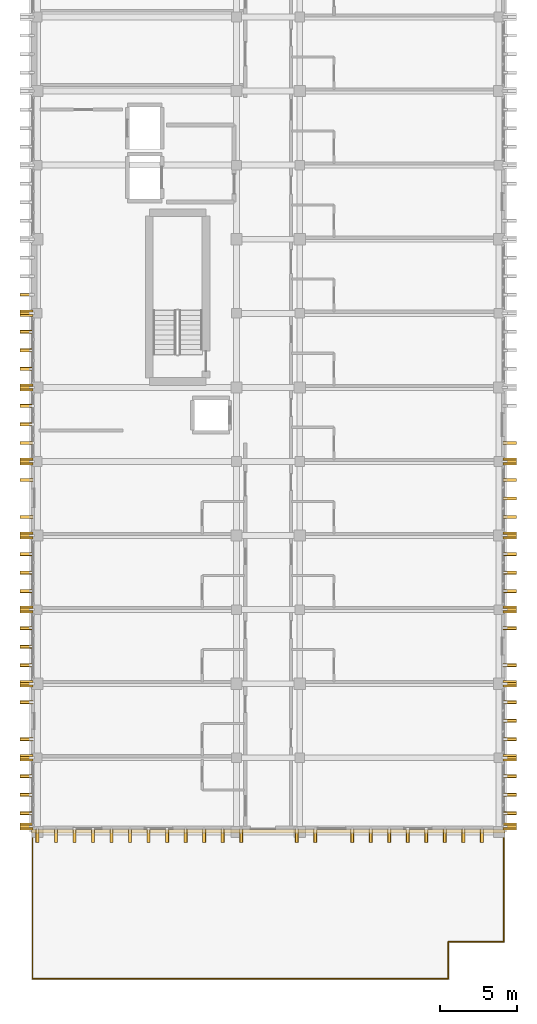
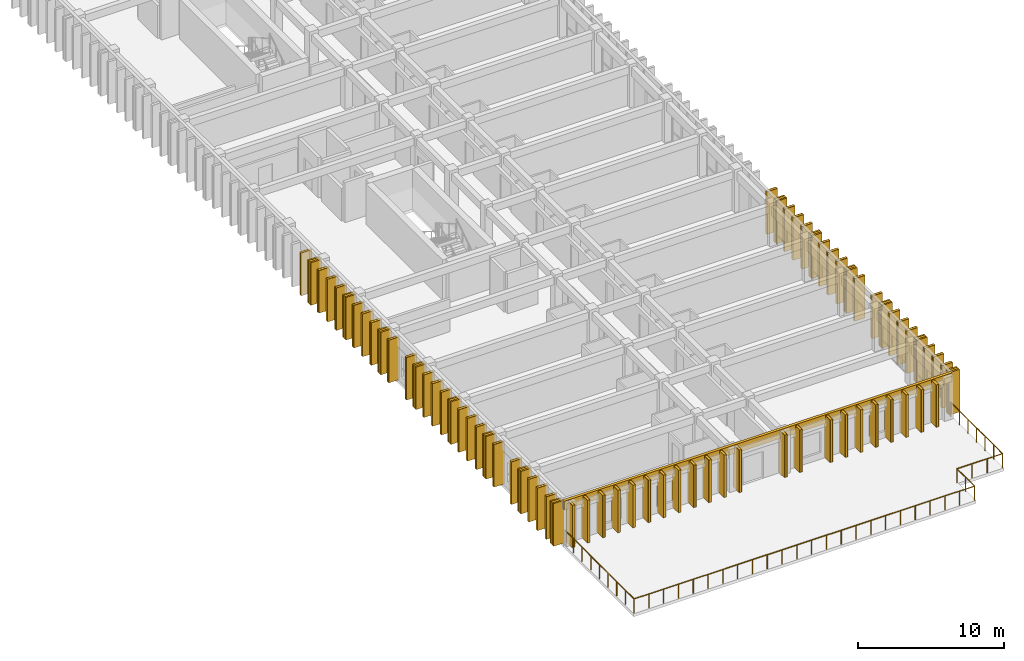
# One storey, part 54 of 59: 71 coverings, 71 shading devices, 1 railing.
"""IFC4 building model written with IfcOpenShell, lengths in metres."""

from ifc_helpers import new_model, si_unit, direction, frame, origin, origin_2d, place, context, subcontext, project, spatial, rectangle, circle, extrude, material, layer, layer_set, type_object, element, save


model = new_model("IFC4")

# Units and contexts
model_context = context("Model", 3, precision=1e-05, world=origin(), true_north=direction((0.0, 1.0)))
body_context = subcontext(model_context, "Body", "Model", "MODEL_VIEW")
ifc_project = project(units=[si_unit("LENGTHUNIT", "METRE"), si_unit("AREAUNIT", "SQUARE_METRE"), si_unit("VOLUMEUNIT", "CUBIC_METRE"), si_unit("PLANEANGLEUNIT", "RADIAN"), si_unit("MASSUNIT", "GRAM", prefix="KILO")], contexts=[model_context])

# Site, building, storey
site_placement = place(None, origin())
site = spatial("IfcSite", under=ifc_project, at=site_placement, CompositionType="ELEMENT")
building_placement = place(site_placement, origin())
building = spatial("IfcBuilding", under=site, at=building_placement, Name="Nakhvara Creek Congress Hotel", CompositionType="ELEMENT")
storey_placement = place(building_placement, frame((0.0, 0.0, 31.800048828125)))
storey = spatial("IfcBuildingStorey", under=building, at=storey_placement, Name="L07", CompositionType="ELEMENT", Elevation=31.800048828125)

# Coverings
ifc_material_1 = material(Name="Honed pale Omani limestone architectural cladding", Category="masonry")
ifc_layer_1 = layer(ifc_material_1, 0.219970703125)
ifc_layer_set_1 = layer_set([ifc_layer_1], Name="Honed pale Omani limestone architectural cladding")
covering_type_1 = type_object("IfcCoveringType", Name="COV-FIN-850", PredefinedType="CLADDING", material=ifc_layer_set_1)
for number, where, z_axis, x_axis, name in (
    (1, (180.054931640625, 48.35009765625, 0.0), (0.0, 0.0, 1.0), (0.0, 1.0, 0.0), "Pale Limestone Fin Cladding CF01-1805"),
    (2, (148.7451171875, 48.35009765625, 0.0), (0.0, 0.0, 1.0), (0.0, 1.0, 0.0), "Pale Limestone Fin Cladding CF01-1806"),
):
    element("IfcCovering", number, at=place(storey_placement, frame(where, z_axis=z_axis, x_axis=x_axis)), inside=storey, type_object=covering_type_1, Name=name, PredefinedType="CLADDING", context=body_context, shape_type="SweptSolid", body=[
        extrude(rectangle(XDim=0.43994140625, YDim=0.85009765625, at=origin_2d()), origin(), (0.0, 0.0, 1.0), 3.56005859375),
    ])
for number, where, z_axis, x_axis, name in (
    (3, (180.054931640625, 49.199951171875, 0.0), (0.0, 0.0, 1.0), (0.0, 1.0, 0.0), "Pale Limestone Fin Cladding CF01-1807"),
    (4, (148.7451171875, 49.199951171875, 0.0), (0.0, 0.0, 1.0), (0.0, 1.0, 0.0), "Pale Limestone Fin Cladding CF01-1808"),
    (5, (180.054931640625, 50.39990234375, 0.0), (0.0, 0.0, 1.0), (0.0, 1.0, 0.0), "Pale Limestone Fin Cladding CF01-1809"),
    (6, (148.7451171875, 50.39990234375, 0.0), (0.0, 0.0, 1.0), (0.0, 1.0, 0.0), "Pale Limestone Fin Cladding CF01-1810"),
    (7, (180.054931640625, 51.60009765625, 0.0), (0.0, 0.0, 1.0), (0.0, 1.0, 0.0), "Pale Limestone Fin Cladding CF01-1811"),
    (8, (148.7451171875, 51.60009765625, 0.0), (0.0, 0.0, 1.0), (0.0, 1.0, 0.0), "Pale Limestone Fin Cladding CF01-1812"),
):
    element("IfcCovering", number, at=place(storey_placement, frame(where, z_axis=z_axis, x_axis=x_axis)), inside=storey, type_object=covering_type_1, Name=name, PredefinedType="CLADDING", context=body_context, shape_type="SweptSolid", body=[
        extrude(rectangle(XDim=0.219970703125, YDim=0.85009765625, at=origin_2d()), origin(), (0.0, 0.0, 1.0), 3.56005859375),
    ])
for number, where, z_axis, x_axis, name in (
    (9, (180.054931640625, 52.800048828125, 0.0), (0.0, 0.0, 1.0), (0.0, 1.0, 0.0), "Pale Limestone Fin Cladding CF01-1813"),
    (10, (148.7451171875, 52.800048828125, 0.0), (0.0, 0.0, 1.0), (0.0, 1.0, 0.0), "Pale Limestone Fin Cladding CF01-1814"),
):
    element("IfcCovering", number, at=place(storey_placement, frame(where, z_axis=z_axis, x_axis=x_axis)), inside=storey, type_object=covering_type_1, Name=name, PredefinedType="CLADDING", context=body_context, shape_type="SweptSolid", body=[
        extrude(rectangle(XDim=0.43994140625, YDim=0.85009765625, at=origin_2d()), origin(), (0.0, 0.0, 1.0), 3.56005859375),
    ])
for number, where, z_axis, x_axis, name in (
    (11, (180.054931640625, 54.0, 0.0), (0.0, 0.0, 1.0), (0.0, 1.0, 0.0), "Pale Limestone Fin Cladding CF01-1815"),
    (12, (148.7451171875, 54.0, 0.0), (0.0, 0.0, 1.0), (0.0, 1.0, 0.0), "Pale Limestone Fin Cladding CF01-1816"),
    (13, (180.054931640625, 55.199951171875, 0.0), (0.0, 0.0, 1.0), (0.0, 1.0, 0.0), "Pale Limestone Fin Cladding CF01-1817"),
    (14, (180.054931640625, 56.39990234375, 0.0), (0.0, 0.0, 1.0), (0.0, 1.0, 0.0), "Pale Limestone Fin Cladding CF01-1818"),
    (15, (148.7451171875, 56.39990234375, 0.0), (0.0, 0.0, 1.0), (0.0, 1.0, 0.0), "Pale Limestone Fin Cladding CF01-1819"),
):
    element("IfcCovering", number, at=place(storey_placement, frame(where, z_axis=z_axis, x_axis=x_axis)), inside=storey, type_object=covering_type_1, Name=name, PredefinedType="CLADDING", context=body_context, shape_type="SweptSolid", body=[
        extrude(rectangle(XDim=0.219970703125, YDim=0.85009765625, at=origin_2d()), origin(), (0.0, 0.0, 1.0), 3.56005859375),
    ])
for number, where, z_axis, x_axis, name in (
    (16, (180.054931640625, 57.60009765625, 0.0), (0.0, 0.0, 1.0), (0.0, 1.0, 0.0), "Pale Limestone Fin Cladding CF01-1820"),
    (17, (148.7451171875, 57.60009765625, 0.0), (0.0, 0.0, 1.0), (0.0, 1.0, 0.0), "Pale Limestone Fin Cladding CF01-1821"),
):
    element("IfcCovering", number, at=place(storey_placement, frame(where, z_axis=z_axis, x_axis=x_axis)), inside=storey, type_object=covering_type_1, Name=name, PredefinedType="CLADDING", context=body_context, shape_type="SweptSolid", body=[
        extrude(rectangle(XDim=0.43994140625, YDim=0.85009765625, at=origin_2d()), origin(), (0.0, 0.0, 1.0), 3.56005859375),
    ])
for number, where, z_axis, x_axis, name in (
    (18, (180.054931640625, 58.800048828125, 0.0), (0.0, 0.0, 1.0), (0.0, 1.0, 0.0), "Pale Limestone Fin Cladding CF01-1822"),
    (19, (148.7451171875, 58.800048828125, 0.0), (0.0, 0.0, 1.0), (0.0, 1.0, 0.0), "Pale Limestone Fin Cladding CF01-1823"),
    (20, (148.7451171875, 60.0, 0.0), (0.0, 0.0, 1.0), (0.0, 1.0, 0.0), "Pale Limestone Fin Cladding CF01-1824"),
    (21, (180.054931640625, 61.199951171875, 0.0), (0.0, 0.0, 1.0), (0.0, 1.0, 0.0), "Pale Limestone Fin Cladding CF01-1825"),
    (22, (148.7451171875, 61.199951171875, 0.0), (0.0, 0.0, 1.0), (0.0, 1.0, 0.0), "Pale Limestone Fin Cladding CF01-1826"),
):
    element("IfcCovering", number, at=place(storey_placement, frame(where, z_axis=z_axis, x_axis=x_axis)), inside=storey, type_object=covering_type_1, Name=name, PredefinedType="CLADDING", context=body_context, shape_type="SweptSolid", body=[
        extrude(rectangle(XDim=0.219970703125, YDim=0.85009765625, at=origin_2d()), origin(), (0.0, 0.0, 1.0), 3.56005859375),
    ])
for number, where, z_axis, x_axis, name in (
    (23, (180.054931640625, 62.39990234375, 0.0), (0.0, 0.0, 1.0), (0.0, 1.0, 0.0), "Pale Limestone Fin Cladding CF01-1827"),
    (24, (148.7451171875, 62.39990234375, 0.0), (0.0, 0.0, 1.0), (0.0, 1.0, 0.0), "Pale Limestone Fin Cladding CF01-1828"),
):
    element("IfcCovering", number, at=place(storey_placement, frame(where, z_axis=z_axis, x_axis=x_axis)), inside=storey, type_object=covering_type_1, Name=name, PredefinedType="CLADDING", context=body_context, shape_type="SweptSolid", body=[
        extrude(rectangle(XDim=0.43994140625, YDim=0.85009765625, at=origin_2d()), origin(), (0.0, 0.0, 1.0), 3.56005859375),
    ])
for number, where, z_axis, x_axis, name in (
    (25, (180.054931640625, 63.60009765625, 0.0), (0.0, 0.0, 1.0), (0.0, 1.0, 0.0), "Pale Limestone Fin Cladding CF01-1829"),
    (26, (148.7451171875, 63.60009765625, 0.0), (0.0, 0.0, 1.0), (0.0, 1.0, 0.0), "Pale Limestone Fin Cladding CF01-1830"),
    (27, (180.054931640625, 64.800048828125, 0.0), (0.0, 0.0, 1.0), (0.0, 1.0, 0.0), "Pale Limestone Fin Cladding CF01-1831"),
    (28, (148.7451171875, 64.800048828125, 0.0), (0.0, 0.0, 1.0), (0.0, 1.0, 0.0), "Pale Limestone Fin Cladding CF01-1832"),
    (29, (180.054931640625, 66.0, 0.0), (0.0, 0.0, 1.0), (0.0, 1.0, 0.0), "Pale Limestone Fin Cladding CF01-1833"),
    (30, (148.7451171875, 66.0, 0.0), (0.0, 0.0, 1.0), (0.0, 1.0, 0.0), "Pale Limestone Fin Cladding CF01-1834"),
):
    element("IfcCovering", number, at=place(storey_placement, frame(where, z_axis=z_axis, x_axis=x_axis)), inside=storey, type_object=covering_type_1, Name=name, PredefinedType="CLADDING", context=body_context, shape_type="SweptSolid", body=[
        extrude(rectangle(XDim=0.219970703125, YDim=0.85009765625, at=origin_2d()), origin(), (0.0, 0.0, 1.0), 3.56005859375),
    ])
for number, where, z_axis, x_axis, name in (
    (31, (180.054931640625, 67.199951171875, 0.0), (0.0, 0.0, 1.0), (0.0, 1.0, 0.0), "Pale Limestone Fin Cladding CF01-1835"),
    (32, (148.7451171875, 67.199951171875, 0.0), (0.0, 0.0, 1.0), (0.0, 1.0, 0.0), "Pale Limestone Fin Cladding CF01-1836"),
):
    element("IfcCovering", number, at=place(storey_placement, frame(where, z_axis=z_axis, x_axis=x_axis)), inside=storey, type_object=covering_type_1, Name=name, PredefinedType="CLADDING", context=body_context, shape_type="SweptSolid", body=[
        extrude(rectangle(XDim=0.43994140625, YDim=0.85009765625, at=origin_2d()), origin(), (0.0, 0.0, 1.0), 3.56005859375),
    ])
for number, where, z_axis, x_axis, name in (
    (33, (180.054931640625, 68.39990234375, 0.0), (0.0, 0.0, 1.0), (0.0, 1.0, 0.0), "Pale Limestone Fin Cladding CF01-1837"),
    (34, (148.7451171875, 68.39990234375, 0.0), (0.0, 0.0, 1.0), (0.0, 1.0, 0.0), "Pale Limestone Fin Cladding CF01-1838"),
    (35, (180.054931640625, 69.60009765625, 0.0), (0.0, 0.0, 1.0), (0.0, 1.0, 0.0), "Pale Limestone Fin Cladding CF01-1839"),
    (36, (180.054931640625, 70.800048828125, 0.0), (0.0, 0.0, 1.0), (0.0, 1.0, 0.0), "Pale Limestone Fin Cladding CF01-1840"),
    (37, (148.7451171875, 70.800048828125, 0.0), (0.0, 0.0, 1.0), (0.0, 1.0, 0.0), "Pale Limestone Fin Cladding CF01-1841"),
):
    element("IfcCovering", number, at=place(storey_placement, frame(where, z_axis=z_axis, x_axis=x_axis)), inside=storey, type_object=covering_type_1, Name=name, PredefinedType="CLADDING", context=body_context, shape_type="SweptSolid", body=[
        extrude(rectangle(XDim=0.219970703125, YDim=0.85009765625, at=origin_2d()), origin(), (0.0, 0.0, 1.0), 3.56005859375),
    ])
for number, where, z_axis, x_axis, name in (
    (38, (180.054931640625, 72.0, 0.0), (0.0, 0.0, 1.0), (0.0, 1.0, 0.0), "Pale Limestone Fin Cladding CF01-1842"),
    (39, (148.7451171875, 72.0, 0.0), (0.0, 0.0, 1.0), (0.0, 1.0, 0.0), "Pale Limestone Fin Cladding CF01-1843"),
):
    element("IfcCovering", number, at=place(storey_placement, frame(where, z_axis=z_axis, x_axis=x_axis)), inside=storey, type_object=covering_type_1, Name=name, PredefinedType="CLADDING", context=body_context, shape_type="SweptSolid", body=[
        extrude(rectangle(XDim=0.43994140625, YDim=0.85009765625, at=origin_2d()), origin(), (0.0, 0.0, 1.0), 3.56005859375),
    ])
for number, where, z_axis, x_axis, name in (
    (40, (180.054931640625, 73.199951171875, 0.0), (0.0, 0.0, 1.0), (0.0, 1.0, 0.0), "Pale Limestone Fin Cladding CF01-1844"),
    (41, (148.7451171875, 73.199951171875, 0.0), (0.0, 0.0, 1.0), (0.0, 1.0, 0.0), "Pale Limestone Fin Cladding CF01-1845"),
    (42, (148.7451171875, 74.39990234375, 0.0), (0.0, 0.0, 1.0), (0.0, 1.0, 0.0), "Pale Limestone Fin Cladding CF01-1846"),
    (43, (148.7451171875, 75.60009765625, 0.0), (0.0, 0.0, 1.0), (0.0, 1.0, 0.0), "Pale Limestone Fin Cladding CF01-1848"),
):
    element("IfcCovering", number, at=place(storey_placement, frame(where, z_axis=z_axis, x_axis=x_axis)), inside=storey, type_object=covering_type_1, Name=name, PredefinedType="CLADDING", context=body_context, shape_type="SweptSolid", body=[
        extrude(rectangle(XDim=0.219970703125, YDim=0.85009765625, at=origin_2d()), origin(), (0.0, 0.0, 1.0), 3.56005859375),
    ])
covering_1_placement = place(storey_placement, frame((148.7451171875, 76.800048828125, 0.0), z_axis=(0.0, 0.0, 1.0), x_axis=(0.0, 1.0, 0.0)))
element("IfcCovering", 44, at=covering_1_placement, inside=storey, type_object=covering_type_1, Name="Pale Limestone Fin Cladding CF01-1850", PredefinedType="CLADDING", context=body_context, shape_type="SweptSolid", body=[
    extrude(rectangle(XDim=0.43994140625, YDim=0.85009765625, at=origin_2d()), origin(), (0.0, 0.0, 1.0), 3.56005859375),
])
for number, where, z_axis, x_axis, name in (
    (45, (148.7451171875, 78.0, 0.0), (0.0, 0.0, 1.0), (0.0, 1.0, 0.0), "Pale Limestone Fin Cladding CF01-1852"),
    (46, (148.7451171875, 79.199951171875, 0.0), (0.0, 0.0, 1.0), (0.0, 1.0, 0.0), "Pale Limestone Fin Cladding CF01-1854"),
    (47, (148.7451171875, 80.39990234375, 0.0), (0.0, 0.0, 1.0), (0.0, 1.0, 0.0), "Pale Limestone Fin Cladding CF01-1856"),
):
    element("IfcCovering", number, at=place(storey_placement, frame(where, z_axis=z_axis, x_axis=x_axis)), inside=storey, type_object=covering_type_1, Name=name, PredefinedType="CLADDING", context=body_context, shape_type="SweptSolid", body=[
        extrude(rectangle(XDim=0.219970703125, YDim=0.85009765625, at=origin_2d()), origin(), (0.0, 0.0, 1.0), 3.56005859375),
    ])
covering_2_placement = place(storey_placement, frame((148.7451171875, 81.60009765625, 0.0), z_axis=(0.0, 0.0, 1.0), x_axis=(0.0, 1.0, 0.0)))
element("IfcCovering", 48, at=covering_2_placement, inside=storey, type_object=covering_type_1, Name="Pale Limestone Fin Cladding CF01-1858", PredefinedType="CLADDING", context=body_context, shape_type="SweptSolid", body=[
    extrude(rectangle(XDim=0.43994140625, YDim=0.85009765625, at=origin_2d()), origin(), (0.0, 0.0, 1.0), 3.56005859375),
])
for number, where, z_axis, x_axis, name in (
    (49, (149.449951171875, 47.735107421875, 0.0), (0.0, 0.0, 1.0), (1.0, 0.0, 0.0), "Pale Limestone Fin Cladding CF01-1931"),
    (50, (150.64990234375, 47.735107421875, 0.0), (0.0, 0.0, 1.0), (1.0, 0.0, 0.0), "Pale Limestone Fin Cladding CF01-1933"),
    (51, (151.85009765625, 47.735107421875, 0.0), (0.0, 0.0, 1.0), (1.0, 0.0, 0.0), "Pale Limestone Fin Cladding CF01-1935"),
    (52, (153.050048828125, 47.735107421875, 0.0), (0.0, 0.0, 1.0), (1.0, 0.0, 0.0), "Pale Limestone Fin Cladding CF01-1937"),
    (53, (154.25, 47.735107421875, 0.0), (0.0, 0.0, 1.0), (1.0, 0.0, 0.0), "Pale Limestone Fin Cladding CF01-1938"),
    (54, (155.449951171875, 47.735107421875, 0.0), (0.0, 0.0, 1.0), (1.0, 0.0, 0.0), "Pale Limestone Fin Cladding CF01-1940"),
    (55, (156.64990234375, 47.735107421875, 0.0), (0.0, 0.0, 1.0), (1.0, 0.0, 0.0), "Pale Limestone Fin Cladding CF01-1942"),
    (56, (157.85009765625, 47.735107421875, 0.0), (0.0, 0.0, 1.0), (1.0, 0.0, 0.0), "Pale Limestone Fin Cladding CF01-1944"),
    (57, (159.050048828125, 47.735107421875, 0.0), (0.0, 0.0, 1.0), (1.0, 0.0, 0.0), "Pale Limestone Fin Cladding CF01-1946"),
    (58, (160.25, 47.735107421875, 0.0), (0.0, 0.0, 1.0), (1.0, 0.0, 0.0), "Pale Limestone Fin Cladding CF01-1948"),
    (59, (161.449951171875, 47.735107421875, 0.0), (0.0, 0.0, 1.0), (1.0, 0.0, 0.0), "Pale Limestone Fin Cladding CF01-1950"),
    (60, (162.64990234375, 47.735107421875, 0.0), (0.0, 0.0, 1.0), (1.0, 0.0, 0.0), "Pale Limestone Fin Cladding CF01-1952"),
    (61, (166.25, 47.735107421875, 0.0), (0.0, 0.0, 1.0), (1.0, 0.0, 0.0), "Pale Limestone Fin Cladding CF01-1956"),
    (62, (167.449951171875, 47.735107421875, 0.0), (0.0, 0.0, 1.0), (1.0, 0.0, 0.0), "Pale Limestone Fin Cladding CF01-1958"),
    (63, (169.85009765625, 47.735107421875, 0.0), (0.0, 0.0, 1.0), (1.0, 0.0, 0.0), "Pale Limestone Fin Cladding CF01-1961"),
    (64, (171.050048828125, 47.735107421875, 0.0), (0.0, 0.0, 1.0), (1.0, 0.0, 0.0), "Pale Limestone Fin Cladding CF01-1963"),
    (65, (172.25, 47.735107421875, 0.0), (0.0, 0.0, 1.0), (1.0, 0.0, 0.0), "Pale Limestone Fin Cladding CF01-1965"),
    (66, (173.449951171875, 47.735107421875, 0.0), (0.0, 0.0, 1.0), (1.0, 0.0, 0.0), "Pale Limestone Fin Cladding CF01-1967"),
    (67, (174.64990234375, 47.735107421875, 0.0), (0.0, 0.0, 1.0), (1.0, 0.0, 0.0), "Pale Limestone Fin Cladding CF01-1969"),
    (68, (175.85009765625, 47.735107421875, 0.0), (0.0, 0.0, 1.0), (1.0, 0.0, 0.0), "Pale Limestone Fin Cladding CF01-1970"),
    (69, (177.050048828125, 47.735107421875, 0.0), (0.0, 0.0, 1.0), (1.0, 0.0, 0.0), "Pale Limestone Fin Cladding CF01-1972"),
    (70, (178.25, 47.735107421875, 0.0), (0.0, 0.0, 1.0), (1.0, 0.0, 0.0), "Pale Limestone Fin Cladding CF01-1974"),
):
    element("IfcCovering", number, at=place(storey_placement, frame(where, z_axis=z_axis, x_axis=x_axis)), inside=storey, type_object=covering_type_1, Name=name, PredefinedType="CLADDING", context=body_context, shape_type="SweptSolid", body=[
        extrude(rectangle(XDim=0.219970703125, YDim=0.85009765625, at=origin_2d()), origin(), (0.0, 0.0, 1.0), 3.56005859375),
    ])
ifc_layer_2 = layer(ifc_material_1, 0.179931640625)
ifc_layer_set_2 = layer_set([ifc_layer_2], Name="Honed pale Omani limestone architectural cladding")
covering_type_2 = type_object("IfcCoveringType", Name="COV-SPN-180", PredefinedType="CLADDING", material=ifc_layer_set_2)
covering_3_placement = place(storey_placement, frame((164.39990234375, 48.030029296875, 2.909912109375), z_axis=(0.0, 0.0, 1.0), x_axis=(1.0, 0.0, 0.0)))
element("IfcCovering", 71, at=covering_3_placement, inside=storey, type_object=covering_type_2, Name="Pale Limestone Spandrel Band CF02-0072", PredefinedType="CLADDING", context=body_context, shape_type="SweptSolid", body=[
    extrude(rectangle(XDim=30.699951171875, YDim=0.219970703125, at=origin_2d()), origin(), (0.0, 0.0, 1.0), 0.72998046875),
])

# Railing
ifc_material_2 = material(Name="Bronze-anodised aluminium and laminated safety glass balustrade", Category="aluminium")
railing_type = type_object("IfcRailingType", Name="RL-BALUS-1200", PredefinedType="BALUSTRADE", material=ifc_material_2)
railing_placement = place(storey_placement, frame((149.1298828125, 47.9599609375, 0.0)))
element("IfcRailing", 72, at=railing_placement, inside=storey, type_object=railing_type, Name="Terrace Balustrade GR02-L07-005", PredefinedType="BALUSTRADE", context=body_context, shape_type="SweptSolid", body=[
    extrude(circle(Radius=0.02392578125, at=origin_2d()), frame((0.0, -0.0146484375, 1.17578125), z_axis=(0.0, -1.0, 0.0), x_axis=(1.0, 0.0, 0.0)), (0.0, 0.0, 1.0), 9.45068359375),
    extrude(circle(Radius=0.02392578125, at=origin_2d()), frame((0.0146484375, -9.47998046875, 1.17578125), z_axis=(1.0, 0.0, 0.0), x_axis=(0.0, 1.0, 0.0)), (0.0, 0.0, 1.0), 26.910888671875),
    extrude(circle(Radius=0.02392578125, at=origin_2d()), frame((26.940185546875, -9.46533203125, 1.17578125), z_axis=(0.0, 1.0, 0.0), x_axis=(-1.0, 0.0, 0.0)), (0.0, 0.0, 1.0), 2.37060546875),
    extrude(circle(Radius=0.02392578125, at=origin_2d()), frame((26.954833984375, -7.080078125, 1.17578125), z_axis=(1.0, 0.0, 0.0), x_axis=(0.0, 1.0, 0.0)), (0.0, 0.0, 1.0), 3.570556640625),
    extrude(circle(Radius=0.02392578125, at=origin_2d()), frame((30.5400390625, -7.0654296875, 1.17578125), z_axis=(0.0, 1.0, 0.0), x_axis=(-1.0, 0.0, 0.0)), (0.0, 0.0, 1.0), 7.05078125),
    extrude(circle(Radius=0.02099609375, at=origin_2d()), origin(), (0.0, 0.0, 1.0), 1.1806640625),
    extrude(circle(Radius=0.02099609375, at=origin_2d()), frame((0.0, -1.18505859375, 0.0)), (0.0, 0.0, 1.0), 1.1806640625),
    extrude(circle(Radius=0.02099609375, at=origin_2d()), frame((0.0, -2.3701171875, 0.0)), (0.0, 0.0, 1.0), 1.1806640625),
    extrude(circle(Radius=0.02099609375, at=origin_2d()), frame((0.0, -3.554931640625, 0.0)), (0.0, 0.0, 1.0), 1.1806640625),
    extrude(circle(Radius=0.02099609375, at=origin_2d()), frame((0.0, -4.739990234375, 0.0)), (0.0, 0.0, 1.0), 1.1806640625),
    extrude(circle(Radius=0.02099609375, at=origin_2d()), frame((0.0, -5.925048828125, 0.0)), (0.0, 0.0, 1.0), 1.1806640625),
    extrude(circle(Radius=0.02099609375, at=origin_2d()), frame((0.0, -7.10986328125, 0.0)), (0.0, 0.0, 1.0), 1.1806640625),
    extrude(circle(Radius=0.02099609375, at=origin_2d()), frame((0.0, -8.294921875, 0.0)), (0.0, 0.0, 1.0), 1.1806640625),
    extrude(circle(Radius=0.02099609375, at=origin_2d()), frame((0.0, -9.47998046875, 0.0)), (0.0, 0.0, 1.0), 1.1806640625),
    extrude(circle(Radius=0.02099609375, at=origin_2d()), frame((1.17138671875, -9.47998046875, 0.0)), (0.0, 0.0, 1.0), 1.1806640625),
    extrude(circle(Radius=0.02099609375, at=origin_2d()), frame((2.342529296875, -9.47998046875, 0.0)), (0.0, 0.0, 1.0), 1.1806640625),
    extrude(circle(Radius=0.02099609375, at=origin_2d()), frame((3.513916015625, -9.47998046875, 0.0)), (0.0, 0.0, 1.0), 1.1806640625),
    extrude(circle(Radius=0.02099609375, at=origin_2d()), frame((4.685302734375, -9.47998046875, 0.0)), (0.0, 0.0, 1.0), 1.1806640625),
    extrude(circle(Radius=0.02099609375, at=origin_2d()), frame((5.8564453125, -9.47998046875, 0.0)), (0.0, 0.0, 1.0), 1.1806640625),
    extrude(circle(Radius=0.02099609375, at=origin_2d()), frame((7.02783203125, -9.47998046875, 0.0)), (0.0, 0.0, 1.0), 1.1806640625),
    extrude(circle(Radius=0.02099609375, at=origin_2d()), frame((8.19921875, -9.47998046875, 0.0)), (0.0, 0.0, 1.0), 1.1806640625),
    extrude(circle(Radius=0.02099609375, at=origin_2d()), frame((9.37060546875, -9.47998046875, 0.0)), (0.0, 0.0, 1.0), 1.1806640625),
    extrude(circle(Radius=0.02099609375, at=origin_2d()), frame((10.541748046875, -9.47998046875, 0.0)), (0.0, 0.0, 1.0), 1.1806640625),
    extrude(circle(Radius=0.02099609375, at=origin_2d()), frame((11.713134765625, -9.47998046875, 0.0)), (0.0, 0.0, 1.0), 1.1806640625),
    extrude(circle(Radius=0.02099609375, at=origin_2d()), frame((12.884521484375, -9.47998046875, 0.0)), (0.0, 0.0, 1.0), 1.1806640625),
    extrude(circle(Radius=0.02099609375, at=origin_2d()), frame((14.0556640625, -9.47998046875, 0.0)), (0.0, 0.0, 1.0), 1.1806640625),
    extrude(circle(Radius=0.02099609375, at=origin_2d()), frame((15.22705078125, -9.47998046875, 0.0)), (0.0, 0.0, 1.0), 1.1806640625),
    extrude(circle(Radius=0.02099609375, at=origin_2d()), frame((16.3984375, -9.47998046875, 0.0)), (0.0, 0.0, 1.0), 1.1806640625),
    extrude(circle(Radius=0.02099609375, at=origin_2d()), frame((17.569580078125, -9.47998046875, 0.0)), (0.0, 0.0, 1.0), 1.1806640625),
    extrude(circle(Radius=0.02099609375, at=origin_2d()), frame((18.740966796875, -9.47998046875, 0.0)), (0.0, 0.0, 1.0), 1.1806640625),
    extrude(circle(Radius=0.02099609375, at=origin_2d()), frame((19.912353515625, -9.47998046875, 0.0)), (0.0, 0.0, 1.0), 1.1806640625),
    extrude(circle(Radius=0.02099609375, at=origin_2d()), frame((21.083740234375, -9.47998046875, 0.0)), (0.0, 0.0, 1.0), 1.1806640625),
    extrude(circle(Radius=0.02099609375, at=origin_2d()), frame((22.2548828125, -9.47998046875, 0.0)), (0.0, 0.0, 1.0), 1.1806640625),
    extrude(circle(Radius=0.02099609375, at=origin_2d()), frame((23.42626953125, -9.47998046875, 0.0)), (0.0, 0.0, 1.0), 1.1806640625),
    extrude(circle(Radius=0.02099609375, at=origin_2d()), frame((24.59765625, -9.47998046875, 0.0)), (0.0, 0.0, 1.0), 1.1806640625),
    extrude(circle(Radius=0.02099609375, at=origin_2d()), frame((25.768798828125, -9.47998046875, 0.0)), (0.0, 0.0, 1.0), 1.1806640625),
    extrude(circle(Radius=0.02099609375, at=origin_2d()), frame((26.940185546875, -9.47998046875, 0.0)), (0.0, 0.0, 1.0), 1.1806640625),
    extrude(circle(Radius=0.02099609375, at=origin_2d()), frame((26.940185546875, -8.280029296875, 0.0)), (0.0, 0.0, 1.0), 1.1806640625),
    extrude(circle(Radius=0.02099609375, at=origin_2d()), frame((26.940185546875, -7.080078125, 0.0)), (0.0, 0.0, 1.0), 1.1806640625),
    extrude(circle(Radius=0.02099609375, at=origin_2d()), frame((28.14013671875, -7.080078125, 0.0)), (0.0, 0.0, 1.0), 1.1806640625),
    extrude(circle(Radius=0.02099609375, at=origin_2d()), frame((29.340087890625, -7.080078125, 0.0)), (0.0, 0.0, 1.0), 1.1806640625),
    extrude(circle(Radius=0.02099609375, at=origin_2d()), frame((30.5400390625, -7.080078125, 0.0)), (0.0, 0.0, 1.0), 1.1806640625),
    extrude(circle(Radius=0.02099609375, at=origin_2d()), frame((30.5400390625, -5.900146484375, 0.0)), (0.0, 0.0, 1.0), 1.1806640625),
    extrude(circle(Radius=0.02099609375, at=origin_2d()), frame((30.5400390625, -4.719970703125, 0.0)), (0.0, 0.0, 1.0), 1.1806640625),
    extrude(circle(Radius=0.02099609375, at=origin_2d()), frame((30.5400390625, -3.5400390625, 0.0)), (0.0, 0.0, 1.0), 1.1806640625),
    extrude(circle(Radius=0.02099609375, at=origin_2d()), frame((30.5400390625, -2.360107421875, 0.0)), (0.0, 0.0, 1.0), 1.1806640625),
    extrude(circle(Radius=0.02099609375, at=origin_2d()), frame((30.5400390625, -1.179931640625, 0.0)), (0.0, 0.0, 1.0), 1.1806640625),
    extrude(circle(Radius=0.02099609375, at=origin_2d()), frame((30.5400390625, 0.0, 0.0)), (0.0, 0.0, 1.0), 1.1806640625),
])

# Shading devices
ifc_material_3 = material(Name="Honed pale Omani limestone cladding on stainless steel spine", Category="masonry")
shading_device_type = type_object("IfcShadingDeviceType", Name="SHD-FIN-850X3600", PredefinedType="USERDEFINED", material=ifc_material_3)
for number, where, z_axis, x_axis, name in (
    (73, (180.054931640625, 48.35009765625, 0.0), (0.0, 0.0, 1.0), (0.0, 1.0, 0.0), "Limestone Solar Fin FN01-1670"),
    (74, (148.7451171875, 48.35009765625, 0.0), (0.0, 0.0, 1.0), (0.0, 1.0, 0.0), "Limestone Solar Fin FN01-1671"),
    (75, (180.054931640625, 49.199951171875, 0.0), (0.0, 0.0, 1.0), (0.0, 1.0, 0.0), "Limestone Solar Fin FN01-1672"),
    (76, (148.7451171875, 49.199951171875, 0.0), (0.0, 0.0, 1.0), (0.0, 1.0, 0.0), "Limestone Solar Fin FN01-1673"),
    (77, (180.054931640625, 50.39990234375, 0.0), (0.0, 0.0, 1.0), (0.0, 1.0, 0.0), "Limestone Solar Fin FN01-1674"),
    (78, (148.7451171875, 50.39990234375, 0.0), (0.0, 0.0, 1.0), (0.0, 1.0, 0.0), "Limestone Solar Fin FN01-1675"),
    (79, (180.054931640625, 51.60009765625, 0.0), (0.0, 0.0, 1.0), (0.0, 1.0, 0.0), "Limestone Solar Fin FN01-1676"),
    (80, (148.7451171875, 51.60009765625, 0.0), (0.0, 0.0, 1.0), (0.0, 1.0, 0.0), "Limestone Solar Fin FN01-1677"),
    (81, (180.054931640625, 52.800048828125, 0.0), (0.0, 0.0, 1.0), (0.0, 1.0, 0.0), "Limestone Solar Fin FN01-1678"),
    (82, (148.7451171875, 52.800048828125, 0.0), (0.0, 0.0, 1.0), (0.0, 1.0, 0.0), "Limestone Solar Fin FN01-1679"),
    (83, (180.054931640625, 54.0, 0.0), (0.0, 0.0, 1.0), (0.0, 1.0, 0.0), "Limestone Solar Fin FN01-1680"),
    (84, (148.7451171875, 54.0, 0.0), (0.0, 0.0, 1.0), (0.0, 1.0, 0.0), "Limestone Solar Fin FN01-1681"),
    (85, (180.054931640625, 55.199951171875, 0.0), (0.0, 0.0, 1.0), (0.0, 1.0, 0.0), "Limestone Solar Fin FN01-1682"),
    (86, (180.054931640625, 56.39990234375, 0.0), (0.0, 0.0, 1.0), (0.0, 1.0, 0.0), "Limestone Solar Fin FN01-1683"),
    (87, (148.7451171875, 56.39990234375, 0.0), (0.0, 0.0, 1.0), (0.0, 1.0, 0.0), "Limestone Solar Fin FN01-1684"),
    (88, (180.054931640625, 57.60009765625, 0.0), (0.0, 0.0, 1.0), (0.0, 1.0, 0.0), "Limestone Solar Fin FN01-1685"),
    (89, (148.7451171875, 57.60009765625, 0.0), (0.0, 0.0, 1.0), (0.0, 1.0, 0.0), "Limestone Solar Fin FN01-1686"),
    (90, (180.054931640625, 58.800048828125, 0.0), (0.0, 0.0, 1.0), (0.0, 1.0, 0.0), "Limestone Solar Fin FN01-1687"),
    (91, (148.7451171875, 58.800048828125, 0.0), (0.0, 0.0, 1.0), (0.0, 1.0, 0.0), "Limestone Solar Fin FN01-1688"),
    (92, (148.7451171875, 60.0, 0.0), (0.0, 0.0, 1.0), (0.0, 1.0, 0.0), "Limestone Solar Fin FN01-1689"),
    (93, (180.054931640625, 61.199951171875, 0.0), (0.0, 0.0, 1.0), (0.0, 1.0, 0.0), "Limestone Solar Fin FN01-1690"),
    (94, (148.7451171875, 61.199951171875, 0.0), (0.0, 0.0, 1.0), (0.0, 1.0, 0.0), "Limestone Solar Fin FN01-1691"),
    (95, (180.054931640625, 62.39990234375, 0.0), (0.0, 0.0, 1.0), (0.0, 1.0, 0.0), "Limestone Solar Fin FN01-1692"),
    (96, (148.7451171875, 62.39990234375, 0.0), (0.0, 0.0, 1.0), (0.0, 1.0, 0.0), "Limestone Solar Fin FN01-1693"),
    (97, (180.054931640625, 63.60009765625, 0.0), (0.0, 0.0, 1.0), (0.0, 1.0, 0.0), "Limestone Solar Fin FN01-1694"),
    (98, (148.7451171875, 63.60009765625, 0.0), (0.0, 0.0, 1.0), (0.0, 1.0, 0.0), "Limestone Solar Fin FN01-1695"),
    (99, (180.054931640625, 64.800048828125, 0.0), (0.0, 0.0, 1.0), (0.0, 1.0, 0.0), "Limestone Solar Fin FN01-1696"),
    (100, (148.7451171875, 64.800048828125, 0.0), (0.0, 0.0, 1.0), (0.0, 1.0, 0.0), "Limestone Solar Fin FN01-1697"),
    (101, (180.054931640625, 66.0, 0.0), (0.0, 0.0, 1.0), (0.0, 1.0, 0.0), "Limestone Solar Fin FN01-1698"),
    (102, (148.7451171875, 66.0, 0.0), (0.0, 0.0, 1.0), (0.0, 1.0, 0.0), "Limestone Solar Fin FN01-1699"),
    (103, (180.054931640625, 67.199951171875, 0.0), (0.0, 0.0, 1.0), (0.0, 1.0, 0.0), "Limestone Solar Fin FN01-1700"),
    (104, (148.7451171875, 67.199951171875, 0.0), (0.0, 0.0, 1.0), (0.0, 1.0, 0.0), "Limestone Solar Fin FN01-1701"),
    (105, (180.054931640625, 68.39990234375, 0.0), (0.0, 0.0, 1.0), (0.0, 1.0, 0.0), "Limestone Solar Fin FN01-1702"),
    (106, (148.7451171875, 68.39990234375, 0.0), (0.0, 0.0, 1.0), (0.0, 1.0, 0.0), "Limestone Solar Fin FN01-1703"),
    (107, (180.054931640625, 69.60009765625, 0.0), (0.0, 0.0, 1.0), (0.0, 1.0, 0.0), "Limestone Solar Fin FN01-1704"),
    (108, (180.054931640625, 70.800048828125, 0.0), (0.0, 0.0, 1.0), (0.0, 1.0, 0.0), "Limestone Solar Fin FN01-1705"),
    (109, (148.7451171875, 70.800048828125, 0.0), (0.0, 0.0, 1.0), (0.0, 1.0, 0.0), "Limestone Solar Fin FN01-1706"),
    (110, (180.054931640625, 72.0, 0.0), (0.0, 0.0, 1.0), (0.0, 1.0, 0.0), "Limestone Solar Fin FN01-1707"),
    (111, (148.7451171875, 72.0, 0.0), (0.0, 0.0, 1.0), (0.0, 1.0, 0.0), "Limestone Solar Fin FN01-1708"),
    (112, (180.054931640625, 73.199951171875, 0.0), (0.0, 0.0, 1.0), (0.0, 1.0, 0.0), "Limestone Solar Fin FN01-1709"),
    (113, (148.7451171875, 73.199951171875, 0.0), (0.0, 0.0, 1.0), (0.0, 1.0, 0.0), "Limestone Solar Fin FN01-1710"),
    (114, (148.7451171875, 74.39990234375, 0.0), (0.0, 0.0, 1.0), (0.0, 1.0, 0.0), "Limestone Solar Fin FN01-1711"),
    (115, (148.7451171875, 75.60009765625, 0.0), (0.0, 0.0, 1.0), (0.0, 1.0, 0.0), "Limestone Solar Fin FN01-1713"),
    (116, (148.7451171875, 76.800048828125, 0.0), (0.0, 0.0, 1.0), (0.0, 1.0, 0.0), "Limestone Solar Fin FN01-1715"),
    (117, (148.7451171875, 78.0, 0.0), (0.0, 0.0, 1.0), (0.0, 1.0, 0.0), "Limestone Solar Fin FN01-1717"),
    (118, (148.7451171875, 79.199951171875, 0.0), (0.0, 0.0, 1.0), (0.0, 1.0, 0.0), "Limestone Solar Fin FN01-1719"),
    (119, (148.7451171875, 80.39990234375, 0.0), (0.0, 0.0, 1.0), (0.0, 1.0, 0.0), "Limestone Solar Fin FN01-1721"),
    (120, (148.7451171875, 81.60009765625, 0.0), (0.0, 0.0, 1.0), (0.0, 1.0, 0.0), "Limestone Solar Fin FN01-1723"),
    (121, (148.7451171875, 82.800048828125, 0.0), (0.0, 0.0, 1.0), (0.0, 1.0, 0.0), "Limestone Solar Fin FN01-1725"),
    (122, (149.449951171875, 47.735107421875, 0.0), (0.0, 0.0, 1.0), (1.0, 0.0, 0.0), "Limestone Solar Fin FN01-1796"),
    (123, (150.64990234375, 47.735107421875, 0.0), (0.0, 0.0, 1.0), (1.0, 0.0, 0.0), "Limestone Solar Fin FN01-1798"),
    (124, (151.85009765625, 47.735107421875, 0.0), (0.0, 0.0, 1.0), (1.0, 0.0, 0.0), "Limestone Solar Fin FN01-1800"),
    (125, (153.050048828125, 47.735107421875, 0.0), (0.0, 0.0, 1.0), (1.0, 0.0, 0.0), "Limestone Solar Fin FN01-1802"),
    (126, (154.25, 47.735107421875, 0.0), (0.0, 0.0, 1.0), (1.0, 0.0, 0.0), "Limestone Solar Fin FN01-1803"),
    (127, (155.449951171875, 47.735107421875, 0.0), (0.0, 0.0, 1.0), (1.0, 0.0, 0.0), "Limestone Solar Fin FN01-1805"),
    (128, (156.64990234375, 47.735107421875, 0.0), (0.0, 0.0, 1.0), (1.0, 0.0, 0.0), "Limestone Solar Fin FN01-1807"),
    (129, (157.85009765625, 47.735107421875, 0.0), (0.0, 0.0, 1.0), (1.0, 0.0, 0.0), "Limestone Solar Fin FN01-1809"),
    (130, (159.050048828125, 47.735107421875, 0.0), (0.0, 0.0, 1.0), (1.0, 0.0, 0.0), "Limestone Solar Fin FN01-1811"),
    (131, (160.25, 47.735107421875, 0.0), (0.0, 0.0, 1.0), (1.0, 0.0, 0.0), "Limestone Solar Fin FN01-1813"),
    (132, (161.449951171875, 47.735107421875, 0.0), (0.0, 0.0, 1.0), (1.0, 0.0, 0.0), "Limestone Solar Fin FN01-1815"),
    (133, (162.64990234375, 47.735107421875, 0.0), (0.0, 0.0, 1.0), (1.0, 0.0, 0.0), "Limestone Solar Fin FN01-1817"),
    (134, (166.25, 47.735107421875, 0.0), (0.0, 0.0, 1.0), (1.0, 0.0, 0.0), "Limestone Solar Fin FN01-1821"),
    (135, (167.449951171875, 47.735107421875, 0.0), (0.0, 0.0, 1.0), (1.0, 0.0, 0.0), "Limestone Solar Fin FN01-1823"),
    (136, (169.85009765625, 47.735107421875, 0.0), (0.0, 0.0, 1.0), (1.0, 0.0, 0.0), "Limestone Solar Fin FN01-1826"),
    (137, (171.050048828125, 47.735107421875, 0.0), (0.0, 0.0, 1.0), (1.0, 0.0, 0.0), "Limestone Solar Fin FN01-1828"),
    (138, (172.25, 47.735107421875, 0.0), (0.0, 0.0, 1.0), (1.0, 0.0, 0.0), "Limestone Solar Fin FN01-1830"),
    (139, (173.449951171875, 47.735107421875, 0.0), (0.0, 0.0, 1.0), (1.0, 0.0, 0.0), "Limestone Solar Fin FN01-1832"),
    (140, (174.64990234375, 47.735107421875, 0.0), (0.0, 0.0, 1.0), (1.0, 0.0, 0.0), "Limestone Solar Fin FN01-1834"),
    (141, (175.85009765625, 47.735107421875, 0.0), (0.0, 0.0, 1.0), (1.0, 0.0, 0.0), "Limestone Solar Fin FN01-1835"),
    (142, (177.050048828125, 47.735107421875, 0.0), (0.0, 0.0, 1.0), (1.0, 0.0, 0.0), "Limestone Solar Fin FN01-1837"),
    (143, (178.25, 47.735107421875, 0.0), (0.0, 0.0, 1.0), (1.0, 0.0, 0.0), "Limestone Solar Fin FN01-1839"),
):
    element("IfcShadingDevice", number, at=place(storey_placement, frame(where, z_axis=z_axis, x_axis=x_axis)), inside=storey, type_object=shading_device_type, Name=name, ObjectType="FIN", PredefinedType="USERDEFINED", context=body_context, shape_type="SweptSolid", body=[
        extrude(rectangle(XDim=0.179931640625, YDim=0.85009765625, at=origin_2d()), origin(), (0.0, 0.0, 1.0), 3.56005859375),
    ])

save(model, "model.ifc")
